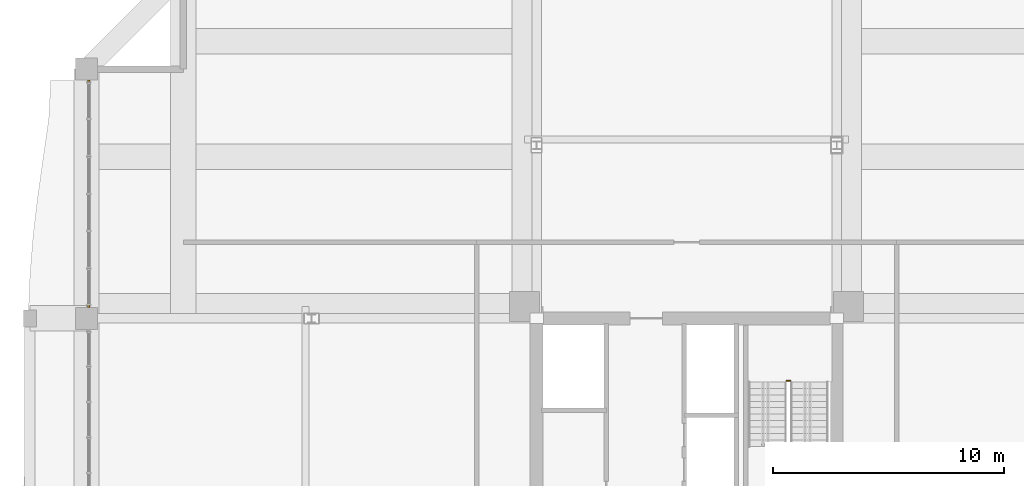
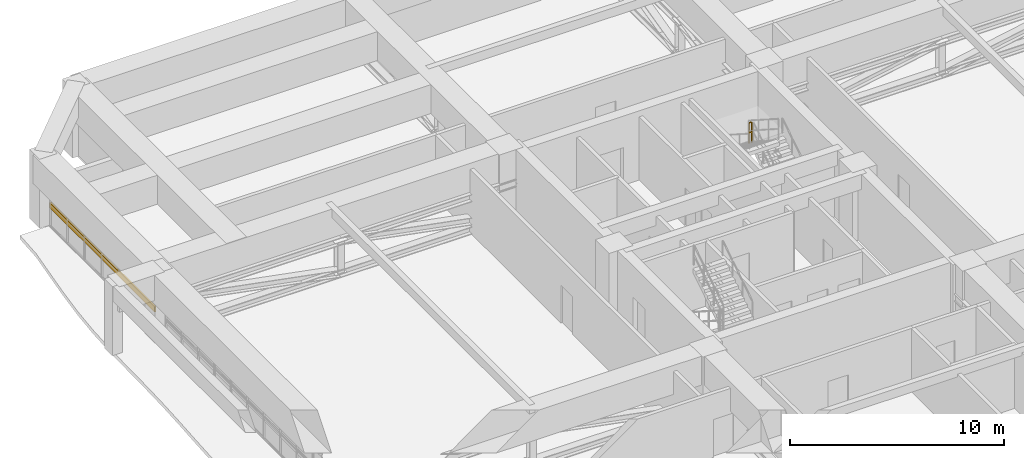
# One storey, part 34 of 35: 1 railing, 1 shading device.
"""IFC4 building model written with IfcOpenShell, lengths in metres."""

from ifc_helpers import new_model, si_unit, direction, frame, origin, origin_2d, place, context, subcontext, project, spatial, rectangle, extrude, source, transform, mapped, material, material_profile, profile_set, type_object, element, save


model = new_model("IFC4")

# Units and contexts
model_context = context("Model", 3, precision=1e-05, world=origin(), true_north=direction((0.0, 1.0)))
body_context = subcontext(model_context, "Body", "Model", "MODEL_VIEW")
ifc_project = project(units=[si_unit("LENGTHUNIT", "METRE"), si_unit("AREAUNIT", "SQUARE_METRE"), si_unit("VOLUMEUNIT", "CUBIC_METRE"), si_unit("PLANEANGLEUNIT", "RADIAN"), si_unit("MASSUNIT", "GRAM", prefix="KILO")], contexts=[model_context])

# Site, building, storey
site_placement = place(None, origin())
site = spatial("IfcSite", under=ifc_project, at=site_placement, CompositionType="ELEMENT")
building_placement = place(site_placement, origin())
building = spatial("IfcBuilding", under=site, at=building_placement, Name="Saelheon Loggia Tower", CompositionType="ELEMENT")
storey_placement = place(building_placement, frame((0.0, 0.0, 144.75)))
storey = spatial("IfcBuildingStorey", under=building, at=storey_placement, Name="L46", CompositionType="ELEMENT", Elevation=144.75)

# Railing
ifc_material_1 = material(Name="Galvanised Steel S275 Stairwell Guardrail", Category="steel")
railing_type = type_object("IfcRailingType", Name="Guard_StairWell_RL_STG", PredefinedType="GUARDRAIL", material=ifc_material_1)
railing_placement = place(storey_placement, frame((42.489990234375, 33.300048828125, 1.97509765625)))
element("IfcRailing", 1, at=railing_placement, inside=storey, type_object=railing_type, Name="L46 ST2 stair guard 2", PredefinedType="GUARDRAIL", context=body_context, shape_type="SweptSolid", body=[
    extrude(rectangle(XDim=0.048095703125, YDim=0.048095703125, at=origin_2d()), frame((-0.033203125, 0.0, 1.17578125), z_axis=(-1.0, 0.0, 0.0), x_axis=(0.0, -1.0, 0.0)), (0.0, 0.0, 1.0), 0.093505859375),
    extrude(rectangle(XDim=0.048095703125, YDim=0.048095703125, at=origin_2d()), frame((-0.033203125, 0.0, 0.60009765625), z_axis=(-1.0, 0.0, 0.0), x_axis=(0.0, -1.0, 0.0)), (0.0, 0.0, 1.0), 0.093505859375),
    extrude(rectangle(XDim=0.0419921875, YDim=0.0419921875, at=origin_2d()), origin(), (0.0, 0.0, 1.0), 1.14794921875),
    extrude(rectangle(XDim=0.0419921875, YDim=0.0419921875, at=origin_2d()), frame((-0.159912109375, 0.0, 0.0)), (0.0, 0.0, 1.0), 1.14794921875),
])

# Shading device
ifc_material_2 = material(Name="Bronze-Anodised Aluminium 6063-T6", Category="aluminium")
ifc_material_profile = material_profile(ifc_material_2, rectangle(XDim=0.080078125, YDim=0.300048828125, at=origin_2d()), Name="Louvre_Refuge_LV_RF1")
ifc_profile_set = profile_set([ifc_material_profile], Name="Bronze-Anodised Aluminium 6063-T6")
shading_device_type = type_object("IfcShadingDeviceType", Name="Louvre_Refuge_LV_RF1", PredefinedType="JALOUSIE", material=ifc_profile_set)
shared_shape = source(origin(), body_context, "Body", "SweptSolid", [
    extrude(rectangle(XDim=0.080078125, YDim=0.300048828125, at=origin_2d()), origin(), (0.0, 0.0, 1.0), 9.840087890625),
])
shading_device_placement = place(storey_placement, frame((12.10009765625, 36.47998046875, 1.14990234375), z_axis=(0.0, 1.0, 0.0), x_axis=(-1.0, 0.0, 0.0)))
element("IfcShadingDevice", 2, at=shading_device_placement, inside=storey, type_object=shading_device_type, Name="L46 Refuge Acoustic Louvre Blade", PredefinedType="JALOUSIE", context=body_context, shape_type="MappedRepresentation", body=[
    mapped(shared_shape, transform((0.0, 0.0, 0.0), scale=1.0)),
])

save(model, "model.ifc")
